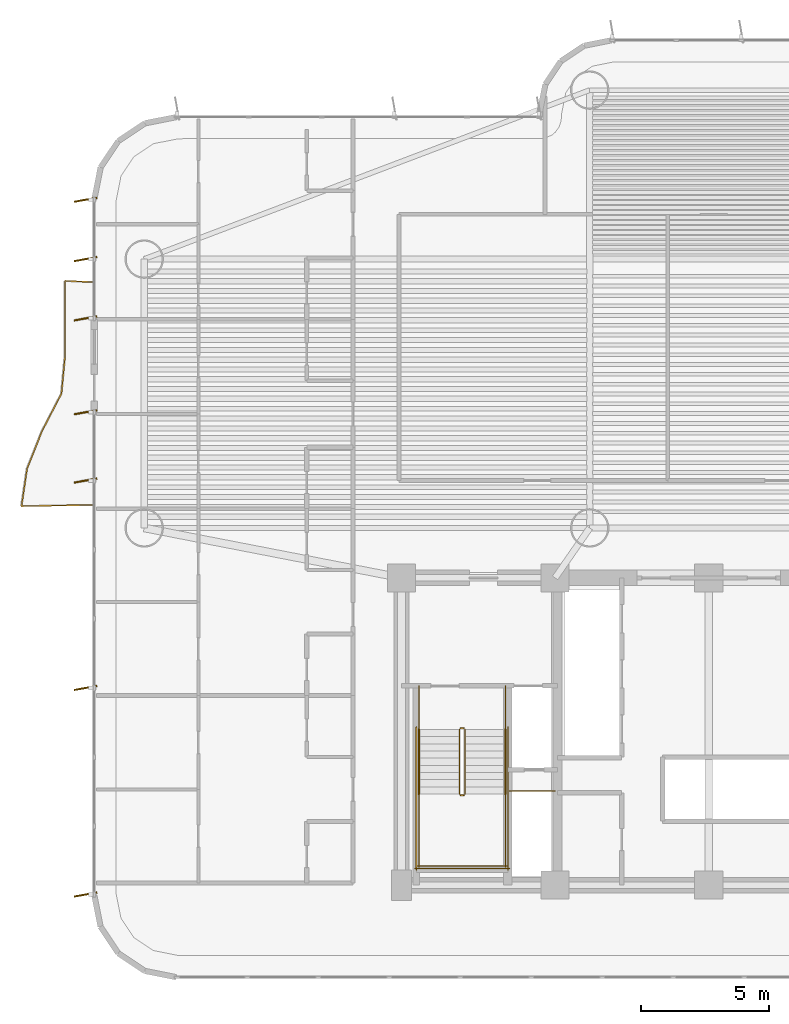
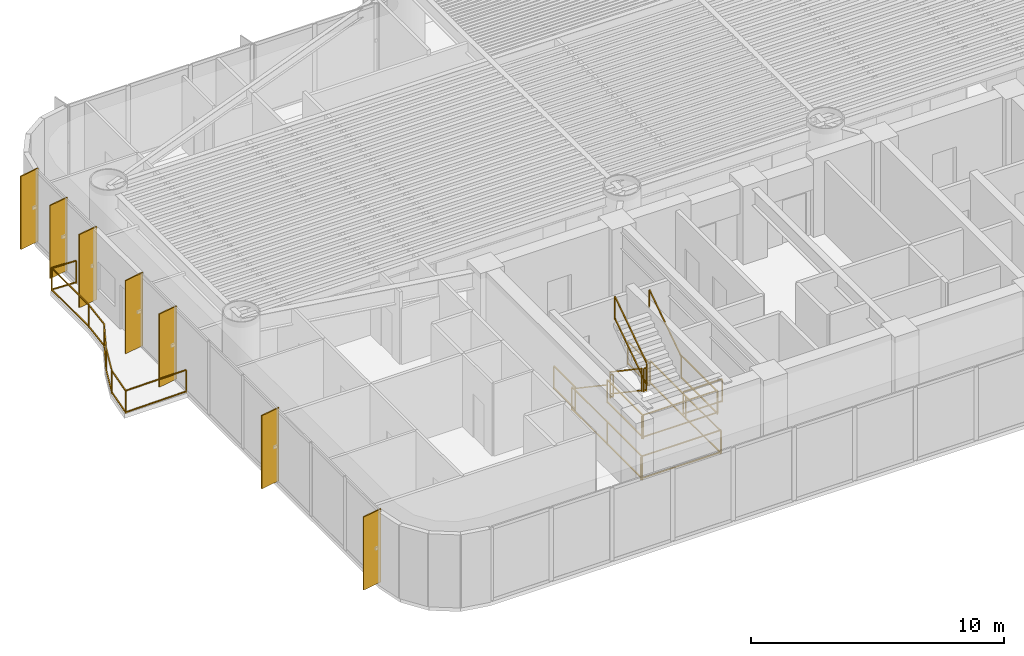
# One storey, part 16 of 19: 16 railings, 7 shading devices.
"""IFC4 building model written with IfcOpenShell, lengths in metres."""

from ifc_helpers import new_model, si_unit, direction, frame, origin, origin_2d, place, context, subcontext, project, spatial, rectangle, extrude, source, transform, mapped, material, layer, layer_set, material_profile, profile_set, type_object, element, save


model = new_model("IFC4")

# Units and contexts
model_context = context("Model", 3, precision=1e-05, world=origin(), true_north=direction((0.0, 1.0)))
body_context = subcontext(model_context, "Body", "Model", "MODEL_VIEW")
ifc_project = project(units=[si_unit("LENGTHUNIT", "METRE"), si_unit("AREAUNIT", "SQUARE_METRE"), si_unit("VOLUMEUNIT", "CUBIC_METRE"), si_unit("PLANEANGLEUNIT", "RADIAN"), si_unit("MASSUNIT", "GRAM", prefix="KILO")], contexts=[model_context])

# Site, building, storey
site_placement = place(None, origin())
site = spatial("IfcSite", under=ifc_project, at=site_placement, CompositionType="ELEMENT")
building_placement = place(site_placement, origin())
building = spatial("IfcBuilding", under=site, at=building_placement, Name="Brelvock Crest Care Tower", CompositionType="ELEMENT")
storey_placement = place(building_placement, frame((0.0, 0.0, 34.56005859375)))
storey = spatial("IfcBuildingStorey", under=building, at=storey_placement, Name="L08", CompositionType="ELEMENT", Elevation=34.56005859375)

# Railings
ifc_material_1 = material(Name="Dark Glass Double Glazed Low-E", Category="glass")
ifc_layer_1 = layer(ifc_material_1, 0.06005859375, Name="RL-BAL1")
ifc_layer_set_1 = layer_set([ifc_layer_1], Name="Dark Glass Double Glazed Low-E")
railing_type_1 = type_object("IfcRailingType", Name="RL-BAL1", PredefinedType="BALUSTRADE", material=ifc_layer_set_1)
railing_1_placement = place(storey_placement, frame((11.9599609375, 20.85009765625, 0.00390625)))
element("IfcRailing", 1, at=railing_1_placement, inside=storey, type_object=railing_type_1, Name="L08 Safety Balustrade WB-W", PredefinedType="BALUSTRADE", context=body_context, shape_type="SweptSolid", body=[
    extrude(rectangle(XDim=0.048095703125, YDim=0.048095703125, at=origin_2d()), frame((-0.001953125, 0.0, 1.09619140625), z_axis=(-0.999840293507, -0.017871415134, 0.0), x_axis=(0.017871415134, -0.999840293507, 0.0)), (0.0, 0.0, 1.0), 2.79638671875),
    extrude(rectangle(XDim=0.048095703125, YDim=0.048095703125, at=origin_2d()), frame((-0.001953125, 0.0, 0.054931640625), z_axis=(-0.999840293507, -0.017871415134, 0.0), x_axis=(0.017871415134, -0.999840293507, 0.0)), (0.0, 0.0, 1.0), 2.79638671875),
    extrude(rectangle(XDim=0.048095703125, YDim=0.048095703125, at=origin_2d()), frame((-2.7998046875, -0.048095703125, 1.09619140625), z_axis=(0.146882849114, 0.989153895325, 0.0), x_axis=(-0.989153895325, 0.146882849114, 0.0)), (0.0, 0.0, 1.0), 1.478515625),
    extrude(rectangle(XDim=0.048095703125, YDim=0.048095703125, at=origin_2d()), frame((-2.7998046875, -0.048095703125, 0.054931640625), z_axis=(0.146882849114, 0.989153895325, 0.0), x_axis=(-0.989153895325, 0.146882849114, 0.0)), (0.0, 0.0, 1.0), 1.478515625),
    extrude(rectangle(XDim=0.048095703125, YDim=0.048095703125, at=origin_2d()), frame((-2.58154296875, 1.41845703125, 1.09619140625), z_axis=(0.369496581543, 0.929232089539, 0.0), x_axis=(-0.929232089539, 0.369496581543, 0.0)), (0.0, 0.0, 1.0), 1.574462890625),
    extrude(rectangle(XDim=0.048095703125, YDim=0.048095703125, at=origin_2d()), frame((-2.58154296875, 1.41845703125, 0.054931640625), z_axis=(0.369496581543, 0.929232089539, 0.0), x_axis=(-0.929232089539, 0.369496581543, 0.0)), (0.0, 0.0, 1.0), 1.574462890625),
    extrude(rectangle(XDim=0.048095703125, YDim=0.048095703125, at=origin_2d()), frame((-1.998046875, 2.885009765625, 1.09619140625), z_axis=(0.460230882472, 0.887799264935, 0.0), x_axis=(-0.887799264935, 0.460230882472, 0.0)), (0.0, 0.0, 1.0), 1.64794921875),
    extrude(rectangle(XDim=0.048095703125, YDim=0.048095703125, at=origin_2d()), frame((-1.998046875, 2.885009765625, 0.054931640625), z_axis=(0.460230882472, 0.887799264935, 0.0), x_axis=(-0.887799264935, 0.460230882472, 0.0)), (0.0, 0.0, 1.0), 1.64794921875),
    extrude(rectangle(XDim=0.048095703125, YDim=0.048095703125, at=origin_2d()), frame((-1.238525390625, 4.351806640625, 1.09619140625), z_axis=(0.094285159279, 0.99554523189, 0.0), x_axis=(-0.99554523189, 0.094285159279, 0.0)), (0.0, 0.0, 1.0), 1.469482421875),
    extrude(rectangle(XDim=0.048095703125, YDim=0.048095703125, at=origin_2d()), frame((-1.238525390625, 4.351806640625, 0.054931640625), z_axis=(0.094285159279, 0.99554523189, 0.0), x_axis=(-0.99554523189, 0.094285159279, 0.0)), (0.0, 0.0, 1.0), 1.469482421875),
    extrude(rectangle(XDim=0.048095703125, YDim=0.048095703125, at=origin_2d()), frame((-1.099853515625, 5.818603515625, 1.09619140625), z_axis=(0.0, 1.0, 0.0), x_axis=(-1.0, 0.0, 0.0)), (0.0, 0.0, 1.0), 2.929443359375),
    extrude(rectangle(XDim=0.048095703125, YDim=0.048095703125, at=origin_2d()), frame((-1.099853515625, 5.818603515625, 0.054931640625), z_axis=(0.0, 1.0, 0.0), x_axis=(-1.0, 0.0, 0.0)), (0.0, 0.0, 1.0), 2.929443359375),
    extrude(rectangle(XDim=0.048095703125, YDim=0.048095703125, at=origin_2d()), frame((-1.097900390625, 8.75, 1.09619140625), z_axis=(0.998966252902, -0.045457953795, 0.0), x_axis=(0.045457953795, 0.998966252902, 0.0)), (0.0, 0.0, 1.0), 1.096923828125),
    extrude(rectangle(XDim=0.048095703125, YDim=0.048095703125, at=origin_2d()), frame((-1.097900390625, 8.75, 0.054931640625), z_axis=(0.998966252902, -0.045457953795, 0.0), x_axis=(0.045457953795, 0.998966252902, 0.0)), (0.0, 0.0, 1.0), 1.096923828125),
    extrude(rectangle(XDim=0.0419921875, YDim=0.0419921875, at=origin_2d()), origin(), (0.0, 0.0, 1.0), 1.070068359375),
    extrude(rectangle(XDim=0.0419921875, YDim=0.0419921875, at=origin_2d()), frame((-2.800048828125, -0.050048828125, 0.0)), (0.0, 0.0, 1.0), 1.070068359375),
    extrude(rectangle(XDim=0.0419921875, YDim=0.0419921875, at=origin_2d()), frame((-2.582275390625, 1.41650390625, 0.0)), (0.0, 0.0, 1.0), 1.070068359375),
    extrude(rectangle(XDim=0.0419921875, YDim=0.0419921875, at=origin_2d()), frame((-1.9990234375, 2.88330078125, 0.0)), (0.0, 0.0, 1.0), 1.070068359375),
    extrude(rectangle(XDim=0.0419921875, YDim=0.0419921875, at=origin_2d()), frame((-1.23876953125, 4.349853515625, 0.0)), (0.0, 0.0, 1.0), 1.070068359375),
    extrude(rectangle(XDim=0.0419921875, YDim=0.0419921875, at=origin_2d()), frame((-1.099853515625, 5.816650390625, 0.0)), (0.0, 0.0, 1.0), 1.070068359375),
    extrude(rectangle(XDim=0.0419921875, YDim=0.0419921875, at=origin_2d()), frame((-1.099853515625, 8.75, 0.0)), (0.0, 0.0, 1.0), 1.070068359375),
    extrude(rectangle(XDim=0.0419921875, YDim=0.0419921875, at=origin_2d()), frame((0.0, 8.699951171875, 0.0)), (0.0, 0.0, 1.0), 1.070068359375),
])
ifc_material_2 = material(Name="Steel Grade 350", Category="steel")
ifc_layer_2 = layer(ifc_material_2, 0.050048828125, Name="RL-STG1")
ifc_layer_set_2 = layer_set([ifc_layer_2], Name="Steel Grade 350")
railing_type_2 = type_object("IfcRailingType", Name="RL-STG1", PredefinedType="GUARDRAIL", material=ifc_layer_set_2)
railing_2_placement = place(storey_placement, frame((26.260009765625, 12.080078125, 0.18896484375)))
element("IfcRailing", 2, at=railing_2_placement, inside=storey, type_object=railing_type_2, Name="L08 ST-1 stair guard 1", PredefinedType="GUARDRAIL", context=body_context, shape_type="SweptSolid", body=[
    extrude(rectangle(XDim=0.048095703125, YDim=0.048095703125, at=origin_2d()), frame((0.0, -0.001708984375, 1.116943359375), z_axis=(0.0, -0.828861706735, 0.559453546873), x_axis=(1.0, 0.0, 0.0)), (0.0, 0.0, 1.0), 3.036376953125),
    extrude(rectangle(XDim=0.048095703125, YDim=0.048095703125, at=origin_2d()), frame((0.0, -0.001708984375, 0.05615234375), z_axis=(0.0, -0.828861706735, 0.559453546873), x_axis=(1.0, 0.0, 0.0)), (0.0, 0.0, 1.0), 3.036376953125),
    extrude(rectangle(XDim=0.0419921875, YDim=0.0419921875, at=origin_2d()), origin(), (0.0, 0.0, 1.0), 1.08984375),
    extrude(rectangle(XDim=0.0419921875, YDim=0.0419921875, at=origin_2d()), frame((0.0, -2.52001953125, 1.700927734375)), (0.0, 0.0, 1.0), 1.08984375),
])
railing_3_placement = place(storey_placement, frame((26.31005859375, 9.510009765625, 1.889892578125)))
element("IfcRailing", 3, at=railing_3_placement, inside=storey, type_object=railing_type_2, Name="L08 ST-1 stair guard 2", PredefinedType="GUARDRAIL", context=body_context, shape_type="SweptSolid", body=[
    extrude(rectangle(XDim=0.048095703125, YDim=0.048095703125, at=origin_2d()), frame((0.001953125, 0.0, 1.11572265625), z_axis=(1.0, 0.0, 0.0), x_axis=(0.0, 1.0, 0.0)), (0.0, 0.0, 1.0), 0.115966796875),
    extrude(rectangle(XDim=0.048095703125, YDim=0.048095703125, at=origin_2d()), frame((0.001953125, 0.0, 0.054931640625), z_axis=(1.0, 0.0, 0.0), x_axis=(0.0, 1.0, 0.0)), (0.0, 0.0, 1.0), 0.115966796875),
    extrude(rectangle(XDim=0.0419921875, YDim=0.0419921875, at=origin_2d()), origin(), (0.0, 0.0, 1.0), 1.08984375),
    extrude(rectangle(XDim=0.0419921875, YDim=0.0419921875, at=origin_2d()), frame((0.119873046875, 0.0, 0.0)), (0.0, 0.0, 1.0), 1.08984375),
])
for number, where, name in (
    (4, (24.679931640625, 9.56005859375, 1.889892578125), "L08 ST-1 stair guard 3"),
    (5, (28.06005859375, 9.56005859375, 1.889892578125), "L08 ST-1 stair guard 4"),
):
    element("IfcRailing", number, at=place(storey_placement, frame(where)), inside=storey, type_object=railing_type_2, Name=name, PredefinedType="GUARDRAIL", context=body_context, shape_type="SweptSolid", body=[
        extrude(rectangle(XDim=0.048095703125, YDim=0.048095703125, at=origin_2d()), frame((0.0, -0.001953125, 1.11572265625), z_axis=(0.0, -1.0, 0.0), x_axis=(1.0, 0.0, 0.0)), (0.0, 0.0, 1.0), 2.856201171875),
        extrude(rectangle(XDim=0.048095703125, YDim=0.048095703125, at=origin_2d()), frame((0.0, -0.001953125, 0.054931640625), z_axis=(0.0, -1.0, 0.0), x_axis=(1.0, 0.0, 0.0)), (0.0, 0.0, 1.0), 2.856201171875),
        extrude(rectangle(XDim=0.0419921875, YDim=0.0419921875, at=origin_2d()), origin(), (0.0, 0.0, 1.0), 1.08984375),
        extrude(rectangle(XDim=0.0419921875, YDim=0.0419921875, at=origin_2d()), frame((0.0, -2.860107421875, 0.0)), (0.0, 0.0, 1.0), 1.08984375),
    ])
railing_4_placement = place(storey_placement, frame((24.6298828125, 6.75, 1.889892578125)))
element("IfcRailing", 6, at=railing_4_placement, inside=storey, type_object=railing_type_2, Name="L08 ST-1 stair guard 5", PredefinedType="GUARDRAIL", context=body_context, shape_type="SweptSolid", body=[
    extrude(rectangle(XDim=0.048095703125, YDim=0.048095703125, at=origin_2d()), frame((0.001953125, 0.0, 1.11572265625), z_axis=(1.0, 0.0, 0.0), x_axis=(0.0, 1.0, 0.0)), (0.0, 0.0, 1.0), 3.476318359375),
    extrude(rectangle(XDim=0.048095703125, YDim=0.048095703125, at=origin_2d()), frame((0.001953125, 0.0, 0.054931640625), z_axis=(1.0, 0.0, 0.0), x_axis=(0.0, 1.0, 0.0)), (0.0, 0.0, 1.0), 3.476318359375),
    extrude(rectangle(XDim=0.0419921875, YDim=0.0419921875, at=origin_2d()), origin(), (0.0, 0.0, 1.0), 1.08984375),
    extrude(rectangle(XDim=0.0419921875, YDim=0.0419921875, at=origin_2d()), frame((3.480224609375, 0.0, 0.0)), (0.0, 0.0, 1.0), 1.08984375),
])
railing_5_placement = place(storey_placement, frame((26.47998046875, 9.56005859375, 2.078857421875)))
element("IfcRailing", 7, at=railing_5_placement, inside=storey, type_object=railing_type_2, Name="L08 ST-1 stair guard 6", PredefinedType="GUARDRAIL", context=body_context, shape_type="SweptSolid", body=[
    extrude(rectangle(XDim=0.048095703125, YDim=0.048095703125, at=origin_2d()), frame((0.0, 0.001708984375, 1.116943359375), z_axis=(0.0, 0.82882447046, 0.559508710537), x_axis=(-1.0, 0.0, 0.0)), (0.0, 0.0, 1.0), 3.036376953125),
    extrude(rectangle(XDim=0.048095703125, YDim=0.048095703125, at=origin_2d()), frame((0.0, 0.001708984375, 0.05615234375), z_axis=(0.0, 0.82882447046, 0.559508710537), x_axis=(-1.0, 0.0, 0.0)), (0.0, 0.0, 1.0), 3.036376953125),
    extrude(rectangle(XDim=0.0419921875, YDim=0.0419921875, at=origin_2d()), origin(), (0.0, 0.0, 1.0), 1.08984375),
    extrude(rectangle(XDim=0.0419921875, YDim=0.0419921875, at=origin_2d()), frame((0.0, 2.52001953125, 1.701171875)), (0.0, 0.0, 1.0), 1.08984375),
])
railing_6_placement = place(storey_placement, frame((26.31005859375, 12.1298828125, 0.0)))
element("IfcRailing", 8, at=railing_6_placement, inside=storey, type_object=railing_type_2, Name="L08 ST-1 stair guard 7", PredefinedType="GUARDRAIL", context=body_context, shape_type="SweptSolid", body=[
    extrude(rectangle(XDim=0.048095703125, YDim=0.048095703125, at=origin_2d()), frame((0.001953125, 0.0, 1.11572265625), z_axis=(1.0, 0.0, 0.0), x_axis=(0.0, 1.0, 0.0)), (0.0, 0.0, 1.0), 0.115966796875),
    extrude(rectangle(XDim=0.048095703125, YDim=0.048095703125, at=origin_2d()), frame((0.001953125, 0.0, 0.054931640625), z_axis=(1.0, 0.0, 0.0), x_axis=(0.0, 1.0, 0.0)), (0.0, 0.0, 1.0), 0.115966796875),
    extrude(rectangle(XDim=0.0419921875, YDim=0.0419921875, at=origin_2d()), origin(), (0.0, 0.0, 1.0), 1.08984375),
    extrude(rectangle(XDim=0.0419921875, YDim=0.0419921875, at=origin_2d()), frame((0.119873046875, 0.0, 0.0)), (0.0, 0.0, 1.0), 1.08984375),
])
for number, where, name in (
    (9, (24.679931640625, 13.780029296875, 0.0), "L08 ST-1 stair guard 8"),
    (10, (28.06005859375, 13.780029296875, 0.0), "L08 ST-1 stair guard 9"),
):
    element("IfcRailing", number, at=place(storey_placement, frame(where)), inside=storey, type_object=railing_type_2, Name=name, PredefinedType="GUARDRAIL", context=body_context, shape_type="SweptSolid", body=[
        extrude(rectangle(XDim=0.048095703125, YDim=0.048095703125, at=origin_2d()), frame((0.0, -0.001953125, 1.11572265625), z_axis=(0.0, -1.0, 0.0), x_axis=(1.0, 0.0, 0.0)), (0.0, 0.0, 1.0), 1.696044921875),
        extrude(rectangle(XDim=0.048095703125, YDim=0.048095703125, at=origin_2d()), frame((0.0, -0.001953125, 0.054931640625), z_axis=(0.0, -1.0, 0.0), x_axis=(1.0, 0.0, 0.0)), (0.0, 0.0, 1.0), 1.696044921875),
        extrude(rectangle(XDim=0.0419921875, YDim=0.0419921875, at=origin_2d()), origin(), (0.0, 0.0, 1.0), 1.08984375),
        extrude(rectangle(XDim=0.0419921875, YDim=0.0419921875, at=origin_2d()), frame((0.0, -1.699951171875, 0.0)), (0.0, 0.0, 1.0), 1.08984375),
    ])
for number, where, name in (
    (11, (24.580078125, 12.179931640625, 0.0), "L08 ST-1 stair guard 10"),
    (12, (28.159912109375, 12.179931640625, 0.0), "L08 ST-1 stair guard 11"),
):
    element("IfcRailing", number, at=place(storey_placement, frame(where)), inside=storey, type_object=railing_type_2, Name=name, PredefinedType="GUARDRAIL", context=body_context, shape_type="SweptSolid", body=[
        extrude(rectangle(XDim=0.048095703125, YDim=0.048095703125, at=origin_2d()), frame((0.0, -0.001953125, 1.11572265625), z_axis=(0.0, -1.0, 0.0), x_axis=(1.0, 0.0, 0.0)), (0.0, 0.0, 1.0), 5.575927734375),
        extrude(rectangle(XDim=0.048095703125, YDim=0.048095703125, at=origin_2d()), frame((0.0, -0.001953125, 0.054931640625), z_axis=(0.0, -1.0, 0.0), x_axis=(1.0, 0.0, 0.0)), (0.0, 0.0, 1.0), 5.575927734375),
        extrude(rectangle(XDim=0.0419921875, YDim=0.0419921875, at=origin_2d()), origin(), (0.0, 0.0, 1.0), 1.08984375),
        extrude(rectangle(XDim=0.0419921875, YDim=0.0419921875, at=origin_2d()), frame((0.0, -2.7900390625, 0.0)), (0.0, 0.0, 1.0), 1.08984375),
        extrude(rectangle(XDim=0.0419921875, YDim=0.0419921875, at=origin_2d()), frame((0.0, -5.579833984375, 0.0)), (0.0, 0.0, 1.0), 1.08984375),
    ])
railing_7_placement = place(storey_placement, frame((24.530029296875, 6.64990234375, 0.0)))
element("IfcRailing", 13, at=railing_7_placement, inside=storey, type_object=railing_type_2, Name="L08 ST-1 stair guard 12", PredefinedType="GUARDRAIL", context=body_context, shape_type="SweptSolid", body=[
    extrude(rectangle(XDim=0.048095703125, YDim=0.048095703125, at=origin_2d()), frame((0.001953125, 0.0, 1.11572265625), z_axis=(1.0, 0.0, 0.0), x_axis=(0.0, 1.0, 0.0)), (0.0, 0.0, 1.0), 3.676025390625),
    extrude(rectangle(XDim=0.048095703125, YDim=0.048095703125, at=origin_2d()), frame((0.001953125, 0.0, 0.054931640625), z_axis=(1.0, 0.0, 0.0), x_axis=(0.0, 1.0, 0.0)), (0.0, 0.0, 1.0), 3.676025390625),
    extrude(rectangle(XDim=0.0419921875, YDim=0.0419921875, at=origin_2d()), origin(), (0.0, 0.0, 1.0), 1.08984375),
    extrude(rectangle(XDim=0.0419921875, YDim=0.0419921875, at=origin_2d()), frame((3.679931640625, 0.0, 0.0)), (0.0, 0.0, 1.0), 1.08984375),
])
railing_8_placement = place(storey_placement, frame((28.219970703125, 9.679931640625, 0.0)))
element("IfcRailing", 14, at=railing_8_placement, inside=storey, type_object=railing_type_2, Name="L08 Fire Riser Threshold Guard", PredefinedType="GUARDRAIL", context=body_context, shape_type="SweptSolid", body=[
    extrude(rectangle(XDim=0.048095703125, YDim=0.048095703125, at=origin_2d()), frame((0.001953125, 0.0, 1.11572265625), z_axis=(1.0, 0.0, 0.0), x_axis=(0.0, 1.0, 0.0)), (0.0, 0.0, 1.0), 1.776123046875),
    extrude(rectangle(XDim=0.048095703125, YDim=0.048095703125, at=origin_2d()), frame((0.001953125, 0.0, 0.054931640625), z_axis=(1.0, 0.0, 0.0), x_axis=(0.0, 1.0, 0.0)), (0.0, 0.0, 1.0), 1.776123046875),
    extrude(rectangle(XDim=0.0419921875, YDim=0.0419921875, at=origin_2d()), origin(), (0.0, 0.0, 1.0), 1.08984375),
    extrude(rectangle(XDim=0.0419921875, YDim=0.0419921875, at=origin_2d()), frame((1.780029296875, 0.0, 0.0)), (0.0, 0.0, 1.0), 1.08984375),
])
ifc_layer_3 = layer(ifc_material_2, 0.048095703125, Name="RL-STH1")
ifc_layer_set_3 = layer_set([ifc_layer_3], Name="Steel Grade 350")
railing_type_3 = type_object("IfcRailingType", Name="RL-STH1", PredefinedType="HANDRAIL", material=ifc_layer_set_3)
railing_9_placement = place(storey_placement, frame((24.679931640625, 12.080078125, 0.18896484375)))
element("IfcRailing", 15, at=railing_9_placement, inside=storey, type_object=railing_type_3, Name="L08 ST-1 stair handrail 1", PredefinedType="HANDRAIL", context=body_context, shape_type="SweptSolid", body=[
    extrude(rectangle(XDim=0.048095703125, YDim=0.048095703125, at=origin_2d()), frame((0.0, -0.001708984375, 0.876953125), z_axis=(0.0, -0.828861706735, 0.559453546873), x_axis=(1.0, 0.0, 0.0)), (0.0, 0.0, 1.0), 3.036376953125),
    extrude(rectangle(XDim=0.0419921875, YDim=0.0419921875, at=origin_2d()), origin(), (0.0, 0.0, 1.0), 0.849853515625),
    extrude(rectangle(XDim=0.0419921875, YDim=0.0419921875, at=origin_2d()), frame((0.0, -2.52001953125, 1.700927734375)), (0.0, 0.0, 1.0), 0.849853515625),
])
railing_10_placement = place(storey_placement, frame((28.06005859375, 9.56005859375, 2.078857421875)))
element("IfcRailing", 16, at=railing_10_placement, inside=storey, type_object=railing_type_3, Name="L08 ST-1 stair handrail 2", PredefinedType="HANDRAIL", context=body_context, shape_type="SweptSolid", body=[
    extrude(rectangle(XDim=0.048095703125, YDim=0.048095703125, at=origin_2d()), frame((0.0, 0.001708984375, 0.876953125), z_axis=(0.0, 0.82882447046, 0.559508710537), x_axis=(-1.0, 0.0, 0.0)), (0.0, 0.0, 1.0), 3.036376953125),
    extrude(rectangle(XDim=0.0419921875, YDim=0.0419921875, at=origin_2d()), origin(), (0.0, 0.0, 1.0), 0.849853515625),
    extrude(rectangle(XDim=0.0419921875, YDim=0.0419921875, at=origin_2d()), frame((0.0, 2.52001953125, 1.701171875)), (0.0, 0.0, 1.0), 0.849853515625),
])

# Shading devices
ifc_material_3 = material(Name="Aluminium 6063-T6", Category="aluminium")
ifc_material_profile = material_profile(ifc_material_3, rectangle(XDim=0.054931640625, YDim=0.89990234375, at=origin_2d()), Name="FIN55x900")
ifc_profile_set = profile_set([ifc_material_profile], Name="Aluminium 6063-T6")
shading_device_type = type_object("IfcShadingDeviceType", Name="SHD-FIN1", PredefinedType="USERDEFINED", material=ifc_profile_set)
shared_shape = source(origin(), body_context, "Body", "SweptSolid", [
    extrude(rectangle(XDim=0.054931640625, YDim=0.89990234375, at=origin_2d()), origin(), (0.0, 0.0, 1.0), 3.530029296875),
])
for number, where, z_axis, x_axis, name in (
    (17, (11.659912109375, 5.632568359375, 0.0), (0.0, 0.0, 1.0), (-0.173648177667, 0.984807753012, 0.0), "L08 Vertical Sunshade Fin E13A-01"),
    (18, (11.659912109375, 13.699951171875, 0.0), (0.0, 0.0, 1.0), (-0.173648177667, 0.984807753012, 0.0), "L08 Vertical Sunshade Fin E13A-04"),
    (19, (11.659912109375, 21.800048828125, 0.0), (0.0, 0.0, 1.0), (-0.173648177667, 0.984807753012, 0.0), "L08 Vertical Sunshade Fin E13A-07"),
    (20, (11.659912109375, 24.467529296875, 0.0), (0.0, 0.0, 1.0), (-0.173648177667, 0.984807753012, 0.0), "L08 Vertical Sunshade Fin E13A-08"),
    (21, (11.659912109375, 28.132568359375, 0.0), (0.0, 0.0, 1.0), (-0.173648177667, 0.984807753012, 0.0), "L08 Vertical Sunshade Fin E13B-01"),
    (22, (11.659912109375, 30.449951171875, 0.0), (0.0, 0.0, 1.0), (-0.173648177667, 0.984807753012, 0.0), "L08 Vertical Sunshade Fin E13B-02"),
    (23, (11.659912109375, 32.767578125, 0.0), (0.0, 0.0, 1.0), (-0.173648177667, 0.984807753012, 0.0), "L08 Vertical Sunshade Fin E13B-03"),
):
    element("IfcShadingDevice", number, at=place(storey_placement, frame(where, z_axis=z_axis, x_axis=x_axis)), inside=storey, type_object=shading_device_type, Name=name, ObjectType="FIN", PredefinedType="USERDEFINED", context=body_context, shape_type="MappedRepresentation", body=[
        mapped(shared_shape, transform((0.0, 0.0, 0.0), x_axis=(1.0, 0.0, 0.0), y_axis=(0.0, 1.0, 0.0), z_axis=(0.0, 0.0, 1.0), scale=1.0)),
    ])

save(model, "model.ifc")
